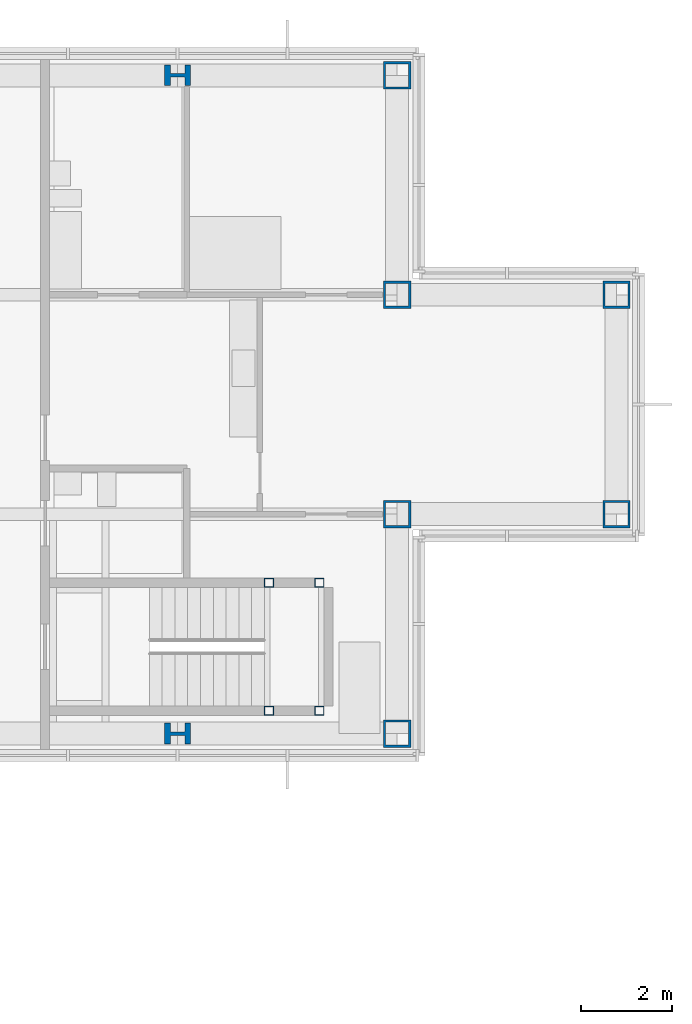
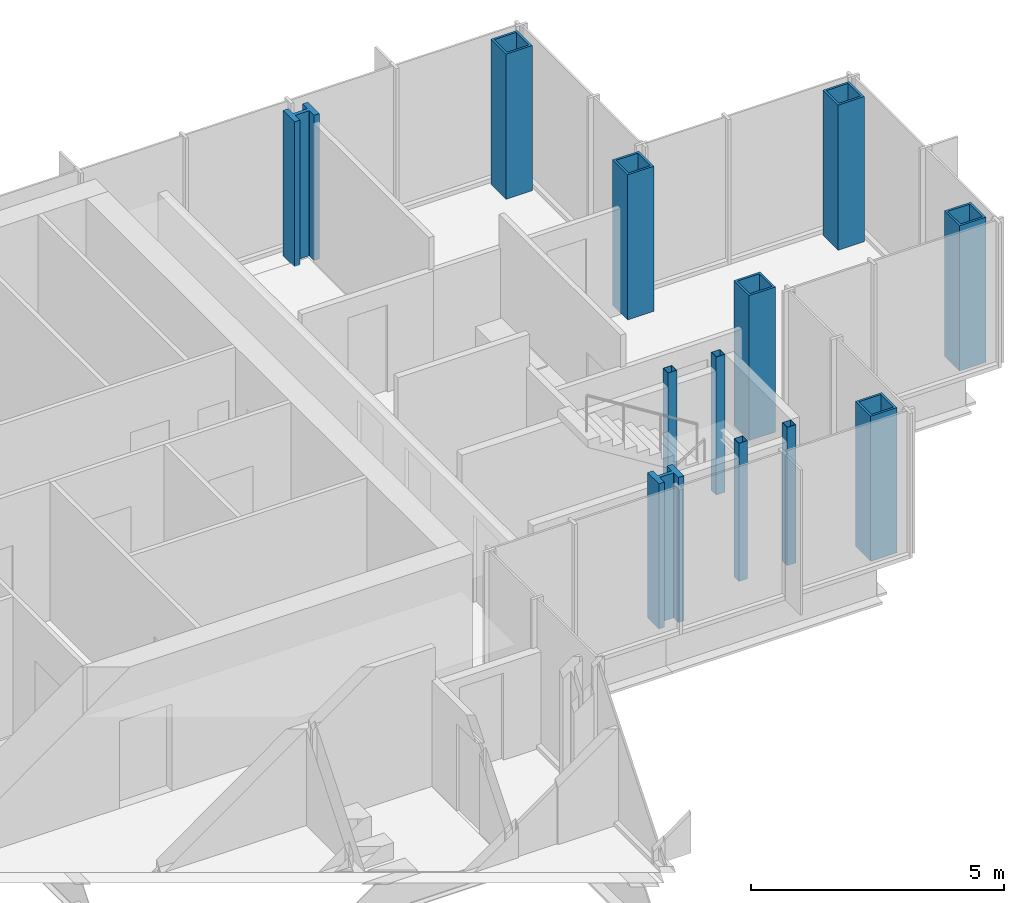
# One storey, part 4 of 15: 12 columns.
"""IFC4 building model written with IfcOpenShell, lengths in metres."""

from ifc_helpers import new_model, si_unit, direction, frame, origin, origin_2d, place, context, subcontext, project, spatial, hollow_rectangle, i_section, extrude, material, material_profile, profile_set, type_object, element, save


model = new_model("IFC4")

# Units and contexts
model_context = context("Model", 3, precision=1e-05, world=origin(), true_north=direction((0.0, 1.0)))
body_context = subcontext(model_context, "Body", "Model", "MODEL_VIEW")
ifc_project = project(units=[si_unit("LENGTHUNIT", "METRE"), si_unit("AREAUNIT", "SQUARE_METRE"), si_unit("VOLUMEUNIT", "CUBIC_METRE"), si_unit("PLANEANGLEUNIT", "RADIAN"), si_unit("MASSUNIT", "GRAM", prefix="KILO")], contexts=[model_context])

# Site, building, storey
site_placement = place(None, origin())
site = spatial("IfcSite", under=ifc_project, at=site_placement, CompositionType="ELEMENT")
building_placement = place(site_placement, origin())
building = spatial("IfcBuilding", under=site, at=building_placement, Name="Kvirike Care Tower", CompositionType="ELEMENT")
storey_placement = place(building_placement, frame((0.0, 0.0, 208.5)))
storey = spatial("IfcBuildingStorey", under=building, at=storey_placement, Name="L57", CompositionType="ELEMENT", Elevation=208.5)

# Columns
ifc_material_1 = material(Name="Steel S460", Category="steel")
ifc_material_profile_1 = material_profile(ifc_material_1, hollow_rectangle(XDim=0.60009765625, YDim=0.60009765625, WallThickness=0.050048828125, at=origin_2d()), Name="BX 600x600x50")
ifc_profile_set_1 = profile_set([ifc_material_profile_1], Name="Steel S460")
column_type_1 = type_object("IfcColumnType", Name="COLUMN BX 600x600x50", PredefinedType="COLUMN", material=ifc_profile_set_1)
for number, where, z_axis, x_axis, name in (
    (1, (38.39990234375, 28.800048828125, 0.0), (0.0, 0.0, 1.0), (0.0, 1.0, 0.0), "Column G11 L57"),
    (2, (38.39990234375, 33.60009765625, 0.0), (0.0, 0.0, 1.0), (0.0, 1.0, 0.0), "Column H11 L57"),
    (3, (38.39990234375, 38.39990234375, 0.0), (0.0, 0.0, 1.0), (0.0, 1.0, 0.0), "Column J11 L57"),
    (4, (38.39990234375, 43.199951171875, 0.0), (0.0, 0.0, 1.0), (0.0, 1.0, 0.0), "Column K11 L57"),
    (5, (43.199951171875, 33.60009765625, 0.0), (0.0, 0.0, 1.0), (0.0, 1.0, 0.0), "Column H12 L57"),
    (6, (43.199951171875, 38.39990234375, 0.0), (0.0, 0.0, 1.0), (0.0, 1.0, 0.0), "Column J12 L57"),
):
    element("IfcColumn", number, at=place(storey_placement, frame(where, z_axis=z_axis, x_axis=x_axis)), inside=storey, type_object=column_type_1, Name=name, PredefinedType="COLUMN", context=body_context, shape_type="SweptSolid", body=[
        extrude(hollow_rectangle(XDim=0.60009765625, YDim=0.60009765625, WallThickness=0.050048828125, at=origin_2d()), origin(), (0.0, 0.0, 1.0), 3.5),
    ])
ifc_material_2 = material(Name="Steel S460", Category="steel")
ifc_material_profile_2 = material_profile(ifc_material_2, i_section(OverallWidth=0.4541015625, OverallDepth=0.569091796875, WebThickness=0.077880859375, FlangeThickness=0.125, FilletRadius=0.014892578125, at=origin_2d()), Name="HD 400x1086")
ifc_profile_set_2 = profile_set([ifc_material_profile_2], Name="Steel S460")
column_type_2 = type_object("IfcColumnType", Name="COLUMN HD 400x1086", PredefinedType="COLUMN", material=ifc_profile_set_2)
for number, where, z_axis, x_axis, name in (
    (7, (33.60009765625, 28.800048828125, 0.0), (0.0, 0.0, 1.0), (0.0, 1.0, 0.0), "Column G10 L57"),
    (8, (33.60009765625, 43.199951171875, 0.0), (0.0, 0.0, 1.0), (0.0, 1.0, 0.0), "Column K10 L57"),
):
    element("IfcColumn", number, at=place(storey_placement, frame(where, z_axis=z_axis, x_axis=x_axis)), inside=storey, type_object=column_type_2, Name=name, PredefinedType="COLUMN", context=body_context, shape_type="SweptSolid", body=[
        extrude(i_section(OverallWidth=0.4541015625, OverallDepth=0.569091796875, WebThickness=0.077880859375, FlangeThickness=0.125, FilletRadius=0.014892578125, at=origin_2d()), origin(), (0.0, 0.0, 1.0), 3.5),
    ])
ifc_material_3 = material(Name="Steel S460", Category="steel")
ifc_material_profile_3 = material_profile(ifc_material_3, hollow_rectangle(XDim=0.199951171875, YDim=0.199951171875, WallThickness=0.008056640625, at=origin_2d()), Name="SHS 200x200x8")
ifc_profile_set_3 = profile_set([ifc_material_profile_3], Name="Steel S460")
column_type_3 = type_object("IfcColumnType", Name="STAIR POST SHS 200x200x8", PredefinedType="COLUMN", material=ifc_profile_set_3)
for number, where, z_axis, x_axis, name in (
    (9, (36.699951171875, 29.300048828125, 0.0), (0.0, 0.0, 1.0), (1.0, 0.0, 0.0), "Stair 2 post 1 L57"),
    (10, (36.699951171875, 32.10009765625, 0.0), (0.0, 0.0, 1.0), (1.0, 0.0, 0.0), "Stair 2 post 2 L57"),
    (11, (35.60009765625, 29.300048828125, 0.0), (0.0, 0.0, 1.0), (1.0, 0.0, 0.0), "Stair 2 post 3 L57"),
    (12, (35.60009765625, 32.10009765625, 0.0), (0.0, 0.0, 1.0), (1.0, 0.0, 0.0), "Stair 2 post 4 L57"),
):
    element("IfcColumn", number, at=place(storey_placement, frame(where, z_axis=z_axis, x_axis=x_axis)), inside=storey, type_object=column_type_3, Name=name, PredefinedType="COLUMN", context=body_context, shape_type="SweptSolid", body=[
        extrude(hollow_rectangle(XDim=0.199951171875, YDim=0.199951171875, WallThickness=0.008056640625, at=origin_2d()), origin(), (0.0, 0.0, 1.0), 3.330078125),
    ])

save(model, "model.ifc")
